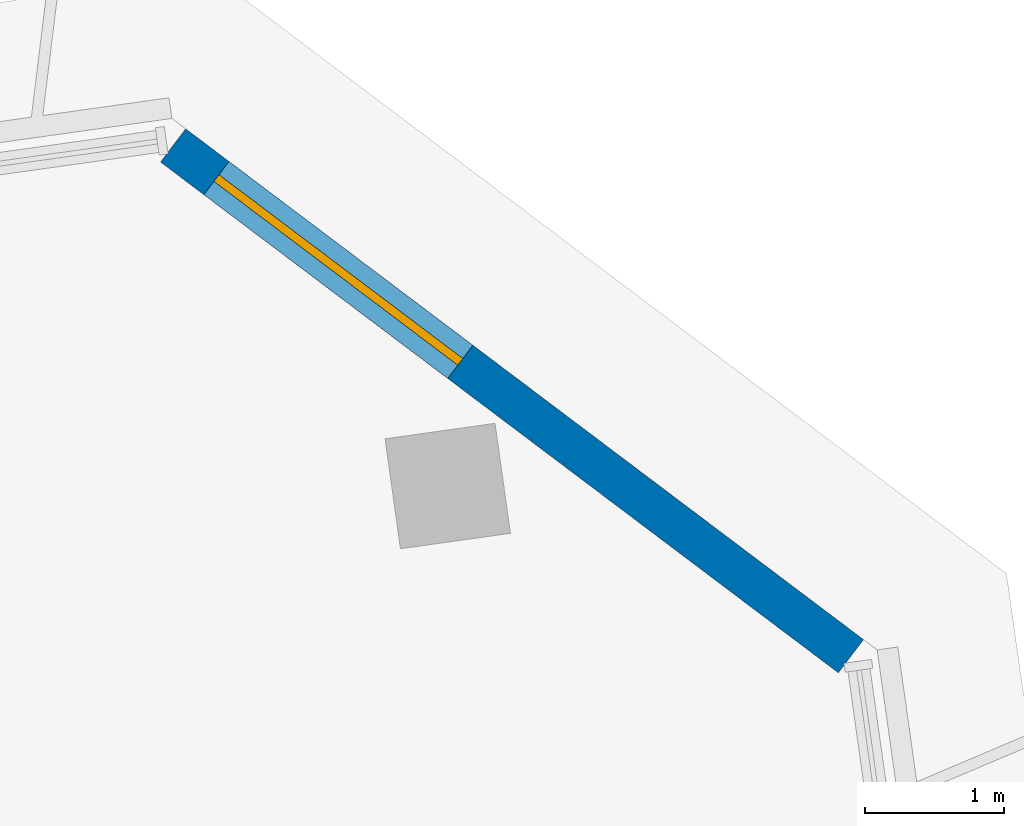
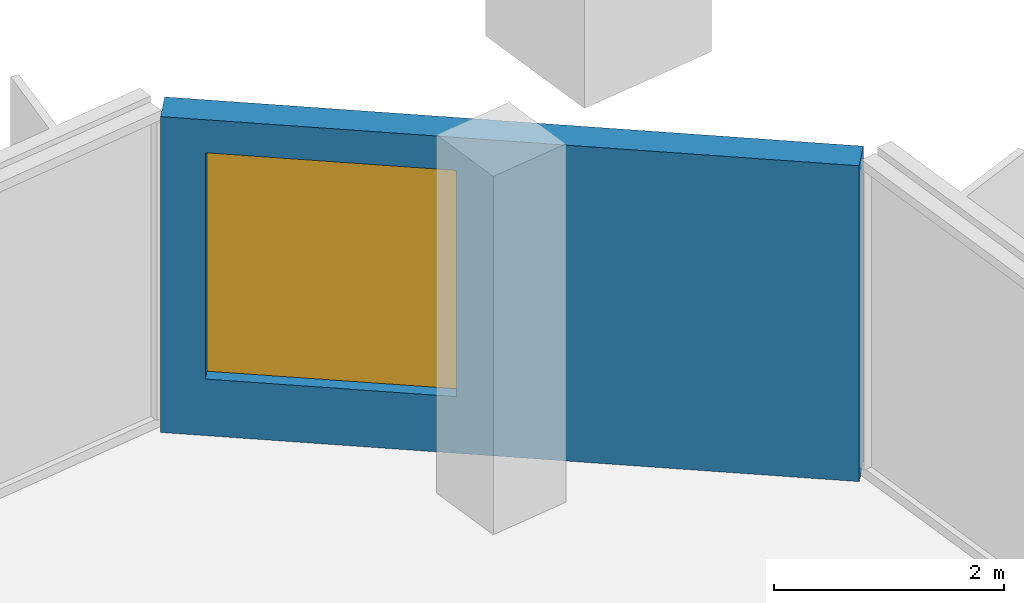
# One storey, part 22 of 25: 1 wall, 1 window, 1 opening.
"""IFC4 building model written with IfcOpenShell, lengths in metres."""

import ifcopenshell
import ifcopenshell.guid

model = None  # the IFC model being written
_history = None  # IfcOwnerHistory: only IFC2X3 demands one
_inside = {}  # id of a spatial element -> (the spatial element, [elements in it])
_under = {}  # id of a project, library or spatial element -> (it, [spatial elements below it])
_declared = {}  # id of a project -> (the project, [libraries it declares])
_typed = {}  # id of a type object -> (the type object, [elements of that type])
_made_of = {}  # id of a material, layer set ... -> (it, [elements and type objects made of it])


def new_model(schema):
    """Start an empty IFC model of exactly this schema.

    Asked for "IFC4X3", IfcOpenShell would pick the latest addendum, in which some entities
    have other attributes; the version numbers below select the first issue.
    IFC2X3 requires an IfcOwnerHistory on every rooted entity: one is made here for all.
    """
    global model, _history
    if schema == "IFC4X3":
        model = ifcopenshell.file(schema_version=(4, 3, 0, 0))
    else:
        model = ifcopenshell.file(schema=schema)
    _inside.clear()
    _under.clear()
    _declared.clear()
    _typed.clear()
    _made_of.clear()
    _history = None
    if model.schema == "IFC2X3":
        org = make("IfcOrganization", Name="unknown")
        user = make(
            "IfcPersonAndOrganization",
            ThePerson=make("IfcPerson", FamilyName="unknown"),
            TheOrganization=org,
        )
        app = make(
            "IfcApplication",
            ApplicationDeveloper=org,
            Version="unknown",
            ApplicationFullName="unknown",
            ApplicationIdentifier="unknown",
        )
        _history = make(
            "IfcOwnerHistory",
            OwningUser=user,
            OwningApplication=app,
            ChangeAction="ADDED",
            CreationDate=0,
        )
    return model


def make(cls, **values):
    """One entity of the class cls with the attributes given. An attribute that is None is left unset."""
    return model.create_entity(
        cls, **{name: value for name, value in values.items() if value is not None}
    )


def rooted(cls, **values):
    """An entity with a GlobalId (a new one), such as an element, a storey or a relation."""
    return make(cls, GlobalId=ifcopenshell.guid.new(), OwnerHistory=_history, **values)


def si_unit(unit_type, name, prefix=None):
    """IfcSIUnit, for example si_unit("LENGTHUNIT", "METRE", prefix="MILLI")."""
    return make("IfcSIUnit", UnitType=unit_type, Prefix=prefix, Name=name)


def assignment(units):
    """IfcUnitAssignment: the units of a project."""
    return None if units is None else make("IfcUnitAssignment", Units=units)


def point(xyz):
    """IfcCartesianPoint."""
    return None if xyz is None else make("IfcCartesianPoint", Coordinates=xyz)


def direction(xyz):
    """IfcDirection."""
    return None if xyz is None else make("IfcDirection", DirectionRatios=xyz)


def frame(location, z_axis=None, x_axis=None):
    """IfcAxis2Placement3D, a coordinate frame: its origin and axes. An axis left out is left unset."""
    return make(
        "IfcAxis2Placement3D",
        Location=point(location),
        Axis=direction(z_axis),
        RefDirection=direction(x_axis),
    )


def frame_2d(location, x_axis=None):
    """IfcAxis2Placement2D, a coordinate frame in the plane: its origin and x axis."""
    return make(
        "IfcAxis2Placement2D", Location=point(location), RefDirection=direction(x_axis)
    )


def origin():
    """The frame at (0, 0, 0) with its axes left unset."""
    return frame((0.0, 0.0, 0.0))


def place(relative_to, where):
    """IfcLocalPlacement: puts the frame where relative to a parent placement (None: the world)."""
    return make(
        "IfcLocalPlacement", PlacementRelTo=relative_to, RelativePlacement=where
    )


def context(
    kind, dimensions, precision=None, world=None, true_north=None, identifier=None
):
    """IfcGeometricRepresentationContext, for example the 3D "Model" context."""
    return make(
        "IfcGeometricRepresentationContext",
        ContextIdentifier=identifier,
        ContextType=kind,
        CoordinateSpaceDimension=dimensions,
        Precision=precision,
        WorldCoordinateSystem=world,
        TrueNorth=true_north,
    )


def subcontext(parent, identifier, kind, view, scale=None):
    """IfcGeometricRepresentationSubContext, for example "Body" below "Model"."""
    return make(
        "IfcGeometricRepresentationSubContext",
        ContextIdentifier=identifier,
        ContextType=kind,
        ParentContext=parent,
        TargetScale=scale,
        TargetView=view,
    )


def project(units=None, contexts=None):
    """IfcProject with its units and contexts."""
    return rooted(
        "IfcProject",
        Name="project",
        RepresentationContexts=contexts,
        UnitsInContext=assignment(units),
    )


def spatial(cls, under=None, at=None, **own):
    """A site, building, storey or space (cls), placed at a placement, below another one or the project."""
    s = rooted(cls, ObjectPlacement=at, **own)
    if under is not None:
        _under.setdefault(under.id(), (under, []))[1].append(s)
    return s


def profile(cls, at=None, kind="AREA", **sizes):
    """A parametric profile (cls). Its sizes go by their IFC names, for example OverallWidth=200.0."""
    return make(cls, ProfileType=kind, Position=at, **sizes)


def rectangle(**sizes):
    """IfcRectangleProfileDef."""
    return profile("IfcRectangleProfileDef", **sizes)


def extrude(swept, where, along, depth):
    """IfcExtrudedAreaSolid: the profile swept, set in the frame where, extruded along a direction by depth."""
    return make(
        "IfcExtrudedAreaSolid",
        SweptArea=swept,
        Position=where,
        ExtrudedDirection=direction(along),
        Depth=depth,
    )


def shape(context_of_items, identifier, shape_type, items):
    """IfcShapeRepresentation: the items that make up one representation, for example the "Body"."""
    return make(
        "IfcShapeRepresentation",
        ContextOfItems=context_of_items,
        RepresentationIdentifier=identifier,
        RepresentationType=shape_type,
        Items=items,
    )


def material(Name=None, Category=None):
    """IfcMaterial."""
    return make("IfcMaterial", Name=Name, Category=Category)


def layer(
    of_material, thickness, ventilated=None, Name=None, Category=None, Priority=None
):
    """IfcMaterialLayer: one layer of a wall or slab, of a material (None: an air gap)."""
    return make(
        "IfcMaterialLayer",
        Material=of_material,
        LayerThickness=thickness,
        IsVentilated=ventilated,
        Name=Name,
        Category=Category,
        Priority=Priority,
    )


def layer_set(layers, Name=None):
    """IfcMaterialLayerSet."""
    return make("IfcMaterialLayerSet", MaterialLayers=layers, LayerSetName=Name)


def made_of(thing, what):
    """Note that an element or type object is made of a material, layer set ...; save() writes the relation."""
    if what is not None:
        _made_of.setdefault(what.id(), (what, []))[1].append(thing)
    return thing


def type_object(cls, material=None, **own):
    """A type object (cls), such as IfcWallType, which elements share."""
    return made_of(rooted(cls, **own), material)


def element(
    cls,
    number,
    at=None,
    inside=None,
    cuts=None,
    type_object=None,
    material=None,
    context=None,
    identifier="Body",
    shape_type=None,
    held_by="IfcProductDefinitionShape",
    body=None,
    shapes=None,
    **own,
):
    """One element of the class cls, such as IfcWall. Its Tag is "e" and its number.

    at: its placement. inside: the storey or other place that contains it. cuts: it is an
    opening in that element (IfcRelVoidsElement). A single representation is given by context,
    identifier, shape_type and body (its items); several are given by shapes. held_by: the class
    of the entity that holds the representations. save() writes the other relations.
    """
    e = rooted(cls, Tag="e%d" % number, ObjectPlacement=at, **own)
    if body is not None:
        shapes = [shape(context, identifier, shape_type, body)]
    if shapes is not None:
        e.Representation = make(held_by, Representations=shapes)
    if inside is not None:
        _inside.setdefault(inside.id(), (inside, []))[1].append(e)
    if cuts is not None:
        rooted(
            "IfcRelVoidsElement", RelatingBuildingElement=cuts, RelatedOpeningElement=e
        )
    if type_object is not None:
        _typed.setdefault(type_object.id(), (type_object, []))[1].append(e)
    return made_of(e, material)


def fill(opening, filler):
    """IfcRelFillsElement: the door or window that sits in an opening."""
    return rooted(
        "IfcRelFillsElement",
        RelatingOpeningElement=opening,
        RelatedBuildingElement=filler,
    )


def aggregate(whole, parts):
    """IfcRelAggregates: a whole, such as a stair, and the parts it consists of."""
    return rooted("IfcRelAggregates", RelatingObject=whole, RelatedObjects=parts)


def save(model, path):
    """Write the relations noted so far, then the file.

    IfcRelAggregates (storeys below a building ...), IfcRelContainedInSpatialStructure (elements
    in a storey), IfcRelDefinesByType, IfcRelAssociatesMaterial and IfcRelDeclares: one each for
    every whole, place, type object, material and project.
    """
    for whole, parts in _under.values():
        aggregate(whole, parts)
    for where, things in _inside.values():
        rooted(
            "IfcRelContainedInSpatialStructure",
            RelatedElements=things,
            RelatingStructure=where,
        )
    for kind, things in _typed.values():
        rooted("IfcRelDefinesByType", RelatedObjects=things, RelatingType=kind)
    for what, things in _made_of.values():
        rooted("IfcRelAssociatesMaterial", RelatedObjects=things, RelatingMaterial=what)
    for by, libraries in _declared.values():
        rooted("IfcRelDeclares", RelatingContext=by, RelatedDefinitions=libraries)
    model.write(path)


model = new_model("IFC4")

# Units and contexts
model_context = context("Model", 3, precision=1e-05, world=origin(), true_north=direction((0.0, 1.0)))
body_context = subcontext(model_context, "Body", "Model", "MODEL_VIEW")
ifc_project = project(units=[si_unit("LENGTHUNIT", "METRE"), si_unit("AREAUNIT", "SQUARE_METRE"), si_unit("VOLUMEUNIT", "CUBIC_METRE"), si_unit("PLANEANGLEUNIT", "RADIAN"), si_unit("MASSUNIT", "GRAM", prefix="KILO")], contexts=[model_context])

# Site, building, storey
site_placement = place(None, origin())
site = spatial("IfcSite", under=ifc_project, at=site_placement, CompositionType="ELEMENT")
building_placement = place(site_placement, origin())
building = spatial("IfcBuilding", under=site, at=building_placement, Name="Mirante Cascada Hotel Towers", CompositionType="ELEMENT")
storey_placement = place(building_placement, frame((0.0, 0.0, 172.6)))
storey = spatial("IfcBuildingStorey", under=building, at=storey_placement, Name="L40", CompositionType="ELEMENT", Elevation=172.6)

# Wall, opening, window
ifc_material_1 = material(Name="Precast concrete C40/50", Category="concrete")
ifc_layer = layer(ifc_material_1, 0.3)
ifc_layer_set = layer_set([ifc_layer], Name="Precast concrete C40/50 cladding wall 300")
wall_type = type_object("IfcWallType", Name="Precast concrete C40/50 cladding wall 300", PredefinedType="STANDARD", material=ifc_layer_set)
wall_placement = place(storey_placement, frame((90.1795, 21.0817, 0.0), z_axis=(0.0, 0.0, 1.0), x_axis=(-0.7986362, 0.6018141, 0.0)))
wall = element("IfcWall", 1, at=wall_placement, inside=storey, type_object=wall_type, Name="Corner cladding wall T2 L40 outer front", PredefinedType="STANDARD", context=body_context, shape_type="SweptSolid", body=[
    extrude(rectangle(XDim=6.1157, YDim=0.3, at=frame_2d((3.0578, 0.0))), origin(), (0.0, 0.0, 1.0), 3.35),
])
opening_placement = place(wall_placement, frame((3.5243, 0.0, 0.6)))
opening = element("IfcOpeningElement", 2, at=opening_placement, cuts=wall, Name="Opening W2-40-02", PredefinedType="OPENING", context=body_context, shape_type="SweptSolid", body=[
    extrude(rectangle(XDim=2.2, YDim=2.4, at=frame_2d((1.1, 1.2))), frame((0.0, 0.15, 0.0), z_axis=(0.0, -1.0, 0.0), x_axis=(1.0, 0.0, 0.0)), (0.0, 0.0, 1.0), 0.3),
])
ifc_material_2 = material(Name="Aluminium frame with clear double glazing", Category="aluminium")
window_type = type_object("IfcWindowType", Name="Corner suite window 2200x2400", PartitioningType="DOUBLE_PANEL_VERTICAL", PredefinedType="WINDOW", material=ifc_material_2)
window_placement = place(opening_placement, origin())
window = element("IfcWindow", 3, at=window_placement, inside=storey, type_object=window_type, Name="Window W2-40-02", OverallHeight=2.4, OverallWidth=2.2, PartitioningType="SINGLE_PANEL", PredefinedType="WINDOW", context=body_context, shape_type="SweptSolid", body=[
    extrude(rectangle(XDim=2.2, YDim=2.4, at=frame_2d((1.1, 1.2))), frame((0.0, 0.03, 0.0), z_axis=(0.0, -1.0, 0.0), x_axis=(1.0, 0.0, 0.0)), (0.0, 0.0, 1.0), 0.06),
])
fill(opening, window)

save(model, "model.ifc")
